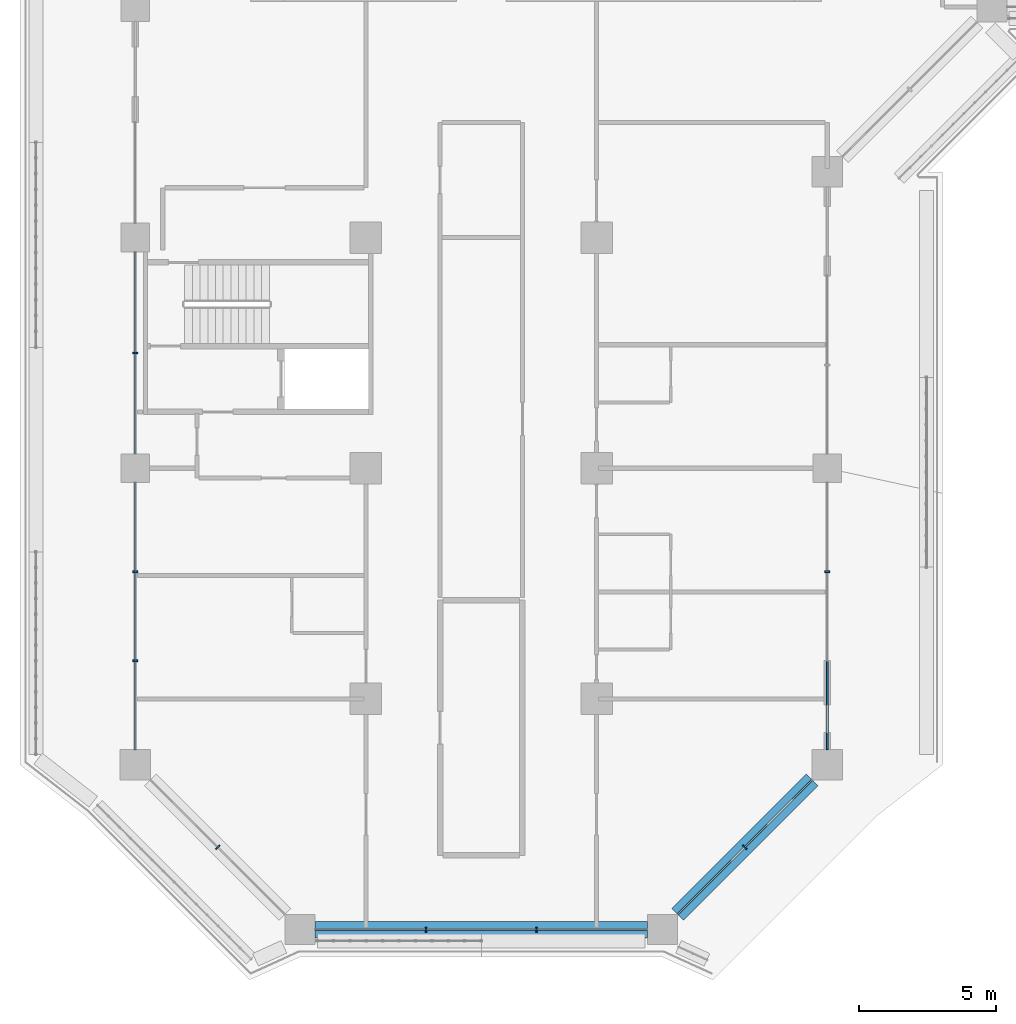
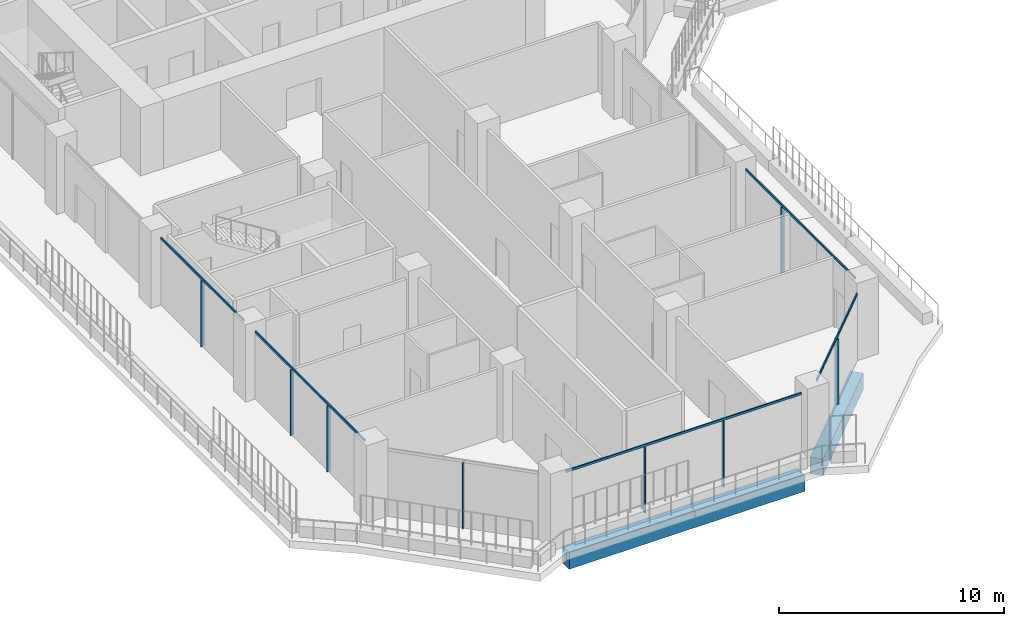
# One storey, part 2 of 23: 13 members, 2 beams, 5 elements without a shape of their own.
"""IFC4 building model written with IfcOpenShell, lengths in metres."""

from ifc_helpers import new_model, si_unit, direction, frame, origin, origin_2d, place, context, subcontext, project, spatial, rectangle, extrude, material, layer, layer_set, material_profile, profile_set, type_object, element, aggregate, save


model = new_model("IFC4")

# Units and contexts
model_context = context("Model", 3, precision=1e-05, world=origin(), true_north=direction((0.0, 1.0)))
body_context = subcontext(model_context, "Body", "Model", "MODEL_VIEW")
ifc_project = project(units=[si_unit("LENGTHUNIT", "METRE"), si_unit("AREAUNIT", "SQUARE_METRE"), si_unit("VOLUMEUNIT", "CUBIC_METRE"), si_unit("PLANEANGLEUNIT", "RADIAN"), si_unit("MASSUNIT", "GRAM", prefix="KILO")], contexts=[model_context])

# Site, building, storey
site_placement = place(None, origin())
site = spatial("IfcSite", under=ifc_project, at=site_placement, CompositionType="ELEMENT")
building_placement = place(site_placement, origin())
building = spatial("IfcBuilding", under=site, at=building_placement, Name="Kawkab Arch Medical Tower", CompositionType="ELEMENT")
storey_placement = place(building_placement, frame((0.0, 0.0, 149.199951171875)))
storey = spatial("IfcBuildingStorey", under=building, at=storey_placement, Name="L34", CompositionType="ELEMENT", Elevation=149.199951171875)

# Curtain wall, members
ifc_material_1 = material(Name="Bronze anodised aluminium curtain wall frame", Category="aluminium")
ifc_layer_1 = layer(ifc_material_1, 0.159912109375)
ifc_layer_set_1 = layer_set([ifc_layer_1], Name="Bronze anodised aluminium curtain wall frame")
curtain_wall_type_1 = type_object("IfcCurtainWallType", Name="CW1 ward curtain wall", PredefinedType="NOTDEFINED", material=ifc_layer_set_1)
placement = place(storey_placement, origin())
curtain_wall_1 = element("IfcCurtainWall", 1, at=placement, inside=storey, type_object=curtain_wall_type_1, Name="CW1 Ward curtain wall R01", PredefinedType="NOTDEFINED")
ifc_material_2 = material(Name="Bronze anodised aluminium curtain wall frame", Category="aluminium")
ifc_material_profile_1 = material_profile(ifc_material_2, rectangle(XDim=0.179931640625, YDim=0.06005859375, at=origin_2d()), Name="AL 60x180")
ifc_profile_set_1 = profile_set([ifc_material_profile_1], Name="Bronze anodised aluminium curtain wall frame")
member_type_1 = type_object("IfcMemberType", Name="CW1 mullion 60 x 180", PredefinedType="MULLION", material=ifc_profile_set_1)
member_1_placement = place(storey_placement, frame((0.0, -37.800048828125, 0.0), z_axis=(0.0, 0.0, 1.0), x_axis=(1.0, 0.0, 0.0)))
member_1 = element("IfcMember", 2, at=member_1_placement, type_object=member_type_1, Name="CW1 mullion 5.1", PredefinedType="MULLION", context=body_context, shape_type="SweptSolid", body=[
    extrude(rectangle(XDim=0.179931640625, YDim=0.06005859375, at=origin_2d()), origin(), (0.0, 0.0, 1.0), 3.580078125),
])
member_2_placement = place(storey_placement, frame((0.0, -45.7666015625, 0.0), z_axis=(0.0, 0.0, 1.0), x_axis=(1.0, 0.0, 0.0)))
member_2 = element("IfcMember", 3, at=member_2_placement, type_object=member_type_1, Name="CW1 mullion 6.1", PredefinedType="MULLION", context=body_context, shape_type="SweptSolid", body=[
    extrude(rectangle(XDim=0.179931640625, YDim=0.06005859375, at=origin_2d()), origin(), (0.0, 0.0, 1.0), 3.580078125),
])
member_3_placement = place(storey_placement, frame((0.0, -49.00830078125, 0.0), z_axis=(0.0, 0.0, 1.0), x_axis=(1.0, 0.0, 0.0)))
member_3 = element("IfcMember", 4, at=member_3_placement, type_object=member_type_1, Name="CW1 mullion 6.2", PredefinedType="MULLION", context=body_context, shape_type="SweptSolid", body=[
    extrude(rectangle(XDim=0.179931640625, YDim=0.06005859375, at=origin_2d()), origin(), (0.0, 0.0, 1.0), 3.580078125),
])

curtain_wall_2 = element("IfcCurtainWall", 5, at=placement, inside=storey, type_object=curtain_wall_type_1, Name="CW1 Ward curtain wall R03", PredefinedType="NOTDEFINED")
member_4_placement = place(storey_placement, frame((10.583251953125, -58.800048828125, 0.0), z_axis=(0.0, 0.0, 1.0), x_axis=(0.0, 1.0, 0.0)))
member_4 = element("IfcMember", 6, at=member_4_placement, type_object=member_type_1, Name="CW1 mullion 1.1", PredefinedType="MULLION", context=body_context, shape_type="SweptSolid", body=[
    extrude(rectangle(XDim=0.179931640625, YDim=0.06005859375, at=origin_2d()), origin(), (0.0, 0.0, 1.0), 3.580078125),
])
member_5_placement = place(storey_placement, frame((14.61669921875, -58.800048828125, 0.0), z_axis=(0.0, 0.0, 1.0), x_axis=(0.0, 1.0, 0.0)))
member_5 = element("IfcMember", 7, at=member_5_placement, type_object=member_type_1, Name="CW1 mullion 1.2", PredefinedType="MULLION", context=body_context, shape_type="SweptSolid", body=[
    extrude(rectangle(XDim=0.179931640625, YDim=0.06005859375, at=origin_2d()), origin(), (0.0, 0.0, 1.0), 3.580078125),
])

# Curtain wall, member
curtain_wall_3 = element("IfcCurtainWall", 8, at=placement, inside=storey, type_object=curtain_wall_type_1, Name="CW1 Ward curtain wall R05", PredefinedType="NOTDEFINED")
member_6_placement = place(storey_placement, frame((25.199951171875, -45.7666015625, 0.0), z_axis=(0.0, 0.0, 1.0), x_axis=(-1.0, 0.0, 0.0)))
member_6 = element("IfcMember", 9, at=member_6_placement, type_object=member_type_1, Name="CW1 mullion 1.2", PredefinedType="MULLION", context=body_context, shape_type="SweptSolid", body=[
    extrude(rectangle(XDim=0.179931640625, YDim=0.06005859375, at=origin_2d()), origin(), (0.0, 0.0, 1.0), 3.580078125),
])

# Member
ifc_material_3 = material(Name="Bronze anodised aluminium curtain wall frame", Category="aluminium")
ifc_material_profile_2 = material_profile(ifc_material_3, rectangle(XDim=0.06005859375, YDim=0.1201171875, at=origin_2d()), Name="AL 60x120")
ifc_profile_set_2 = profile_set([ifc_material_profile_2], Name="Bronze anodised aluminium curtain wall frame")
member_type_2 = type_object("IfcMemberType", Name="CW1 transom 120 x 60", PredefinedType="USERDEFINED", material=ifc_profile_set_2)
member_7_placement = place(storey_placement, frame((0.0, -34.125, 3.64013671875), z_axis=(0.0, -1.0, 0.0), x_axis=(1.0, 0.0, 0.0)))
member_7 = element("IfcMember", 10, at=member_7_placement, type_object=member_type_2, Name="CW1 transom 5", ObjectType="TRANSOM", PredefinedType="USERDEFINED", context=body_context, shape_type="SweptSolid", body=[
    extrude(rectangle(XDim=0.06005859375, YDim=0.1201171875, at=origin_2d()), origin(), (0.0, 0.0, 1.0), 7.35009765625),
])

member_8_placement = place(storey_placement, frame((0.0, -42.52490234375, 3.64013671875), z_axis=(0.0, -1.0, 0.0), x_axis=(1.0, 0.0, 0.0)))
member_8 = element("IfcMember", 11, at=member_8_placement, type_object=member_type_2, Name="CW1 transom 6", ObjectType="TRANSOM", PredefinedType="USERDEFINED", context=body_context, shape_type="SweptSolid", body=[
    extrude(rectangle(XDim=0.06005859375, YDim=0.1201171875, at=origin_2d()), origin(), (0.0, 0.0, 1.0), 9.72509765625),
])

aggregate(curtain_wall_1, [member_7, member_1, member_8, member_2, member_3])

member_9_placement = place(storey_placement, frame((6.550048828125, -58.800048828125, 3.64013671875), z_axis=(1.0, 0.0, 0.0), x_axis=(0.0, 1.0, 0.0)))
member_9 = element("IfcMember", 12, at=member_9_placement, type_object=member_type_2, Name="CW1 transom 1", ObjectType="TRANSOM", PredefinedType="USERDEFINED", context=body_context, shape_type="SweptSolid", body=[
    extrude(rectangle(XDim=0.06005859375, YDim=0.1201171875, at=origin_2d()), origin(), (0.0, 0.0, 1.0), 12.099853515625),
])

aggregate(curtain_wall_2, [member_9, member_4, member_5])

member_10_placement = place(storey_placement, frame((25.199951171875, -52.25, 3.64013671875), z_axis=(0.0, 1.0, 0.0), x_axis=(-1.0, 0.0, 0.0)))
member_10 = element("IfcMember", 13, at=member_10_placement, type_object=member_type_2, Name="CW1 transom 1", ObjectType="TRANSOM", PredefinedType="USERDEFINED", context=body_context, shape_type="SweptSolid", body=[
    extrude(rectangle(XDim=0.06005859375, YDim=0.1201171875, at=origin_2d()), origin(), (0.0, 0.0, 1.0), 9.72509765625),
])

aggregate(curtain_wall_3, [member_10, member_6])

# Curtain wall, member
ifc_material_4 = material(Name="Bronze anodised aluminium curtain wall frame", Category="aluminium")
ifc_layer_2 = layer(ifc_material_4, 0.159912109375)
ifc_layer_set_2 = layer_set([ifc_layer_2], Name="Bronze anodised aluminium curtain wall frame")
curtain_wall_type_2 = type_object("IfcCurtainWallType", Name="CW2 chamfer curtain wall", PredefinedType="NOTDEFINED", material=ifc_layer_set_2)
curtain_wall_4 = element("IfcCurtainWall", 14, at=placement, inside=storey, type_object=curtain_wall_type_2, Name="CW2 Chamfer curtain wall R02", PredefinedType="NOTDEFINED")
ifc_material_5 = material(Name="Bronze anodised aluminium curtain wall frame", Category="aluminium")
ifc_material_profile_3 = material_profile(ifc_material_5, rectangle(XDim=0.199951171875, YDim=0.06005859375, at=origin_2d()), Name="AL 60x200")
ifc_profile_set_3 = profile_set([ifc_material_profile_3], Name="Bronze anodised aluminium curtain wall frame")
member_type_3 = type_object("IfcMemberType", Name="CW2 mullion 60 x 200", PredefinedType="MULLION", material=ifc_profile_set_3)
member_11_placement = place(storey_placement, frame((3.0, -55.800048828125, 0.0), z_axis=(0.0, 0.0, 1.0), x_axis=(0.707106781187, 0.707106781187, 0.0)))
member_11 = element("IfcMember", 15, at=member_11_placement, type_object=member_type_3, Name="CW2 mullion 1.1", PredefinedType="MULLION", context=body_context, shape_type="SweptSolid", body=[
    extrude(rectangle(XDim=0.199951171875, YDim=0.06005859375, at=origin_2d()), origin(), (0.0, 0.0, 1.0), 3.56005859375),
])
aggregate(curtain_wall_4, [member_11])

# Curtain wall, members
curtain_wall_5 = element("IfcCurtainWall", 16, at=placement, inside=storey, type_object=curtain_wall_type_2, Name="CW2 Chamfer curtain wall R04", PredefinedType="NOTDEFINED")
member_12_placement = place(storey_placement, frame((22.199951171875, -55.800048828125, 0.0), z_axis=(0.0, 0.0, 1.0), x_axis=(-0.707106781187, 0.707106781187, 0.0)))
member_12 = element("IfcMember", 17, at=member_12_placement, type_object=member_type_3, Name="CW2 mullion 1.1", PredefinedType="MULLION", context=body_context, shape_type="SweptSolid", body=[
    extrude(rectangle(XDim=0.199951171875, YDim=0.06005859375, at=origin_2d()), origin(), (0.0, 0.0, 1.0), 3.56005859375),
])
ifc_material_6 = material(Name="Bronze anodised aluminium curtain wall frame", Category="aluminium")
ifc_material_profile_4 = material_profile(ifc_material_6, rectangle(XDim=0.06005859375, YDim=0.139892578125, at=origin_2d()), Name="AL 60x140")
ifc_profile_set_4 = profile_set([ifc_material_profile_4], Name="Bronze anodised aluminium curtain wall frame")
member_type_4 = type_object("IfcMemberType", Name="CW2 transom 140 x 60", PredefinedType="USERDEFINED", material=ifc_profile_set_4)
member_13_placement = place(storey_placement, frame((19.75, -58.25, 3.630126953125), z_axis=(0.707106781187, 0.707106781187, 0.0), x_axis=(-0.707106781187, 0.707106781187, 0.0)))
member_13 = element("IfcMember", 18, at=member_13_placement, type_object=member_type_4, Name="CW2 transom 1", ObjectType="TRANSOM", PredefinedType="USERDEFINED", context=body_context, shape_type="SweptSolid", body=[
    extrude(rectangle(XDim=0.06005859375, YDim=0.139892578125, at=origin_2d()), origin(), (0.0, 0.0, 1.0), 6.929443359375),
])
aggregate(curtain_wall_5, [member_13, member_12])

# Beams
ifc_material_7 = material(Name="Concrete C55/67", Category="concrete")
ifc_material_profile_5 = material_profile(ifc_material_7, rectangle(XDim=0.60009765625, YDim=0.89990234375, at=origin_2d()), Name="RC 600x900")
ifc_profile_set_5 = profile_set([ifc_material_profile_5], Name="Concrete C55/67")
beam_type = type_object("IfcBeamType", Name="RC 600x900 beam C55/67", PredefinedType="BEAM", material=ifc_profile_set_5)
beam_1_placement = place(storey_placement, frame((24.64990234375, -53.35009765625, -1.050048828125), z_axis=(-0.707106781187, -0.707106781187, 0.0), x_axis=(0.707106781187, -0.707106781187, 0.0)))
element("IfcBeam", 19, at=beam_1_placement, inside=storey, type_object=beam_type, Name="Overhang edge beam L34-07", PredefinedType="BEAM", context=body_context, shape_type="SweptSolid", body=[
    extrude(rectangle(XDim=0.60009765625, YDim=0.89990234375, at=origin_2d()), origin(), (0.0, 0.0, 1.0), 6.929443359375),
])
beam_2_placement = place(storey_placement, frame((18.64990234375, -58.800048828125, -1.050048828125), z_axis=(-1.0, 0.0, 0.0), x_axis=(0.0, -1.0, 0.0)))
element("IfcBeam", 20, at=beam_2_placement, inside=storey, type_object=beam_type, Name="Overhang edge beam L34-08", PredefinedType="BEAM", context=body_context, shape_type="SweptSolid", body=[
    extrude(rectangle(XDim=0.60009765625, YDim=0.89990234375, at=origin_2d()), origin(), (0.0, 0.0, 1.0), 12.099853515625),
])

save(model, "model.ifc")
